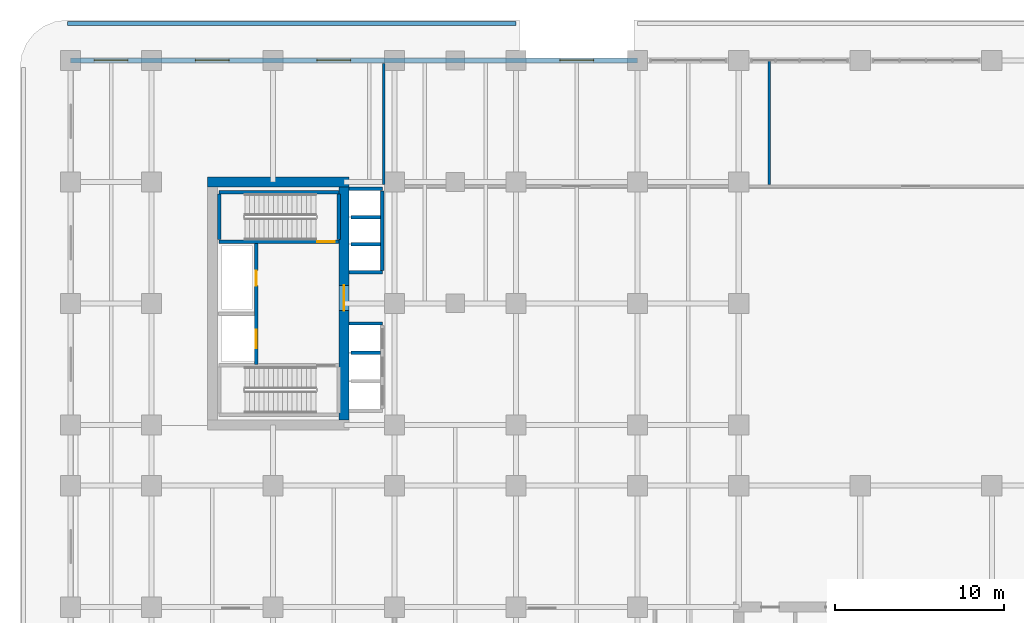
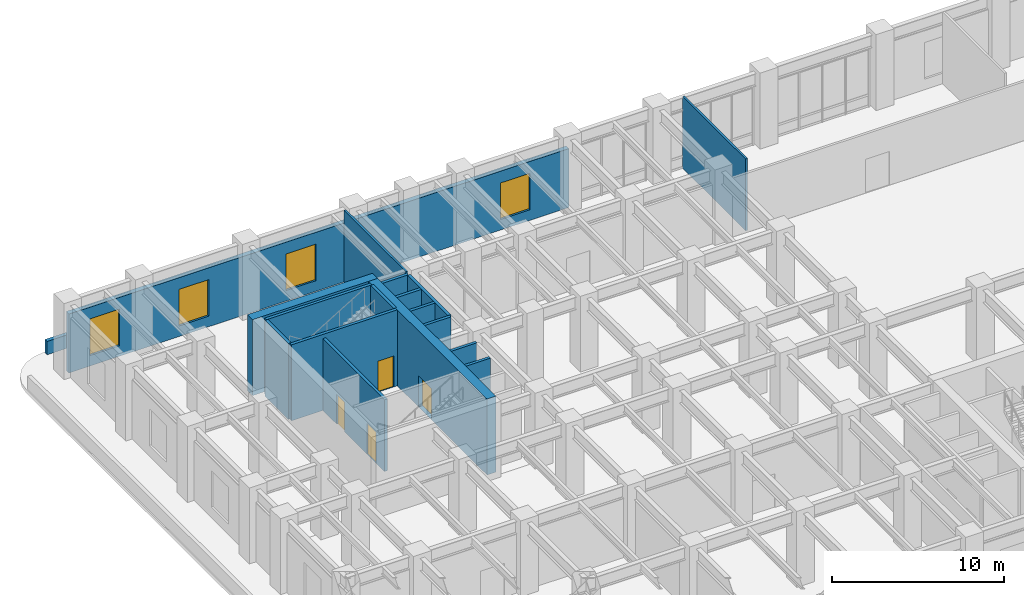
# One storey, part 12 of 20: 18 walls, 4 doors, 4 windows, 8 openings.
"""IFC4 building model written with IfcOpenShell, lengths in metres."""

from ifc_helpers import new_model, si_unit, derived_unit, direction, frame, frame_2d, origin, place, context, subcontext, project, spatial, rectangle, extrude, source, transform, mapped, material, layer, layer_set, type_object, type_shapes, element, fill, save


model = new_model("IFC4")

# Units and contexts
model_context = context("Model", 3, precision=1e-05, world=origin(), true_north=direction((0.0, 1.0)))
body_context = subcontext(model_context, "Body", "Model", "MODEL_VIEW")
ifc_project = project(units=[si_unit("LENGTHUNIT", "METRE"), si_unit("AREAUNIT", "SQUARE_METRE"), si_unit("VOLUMEUNIT", "CUBIC_METRE"), si_unit("PLANEANGLEUNIT", "RADIAN"), si_unit("MASSUNIT", "GRAM", prefix="KILO"), si_unit("THERMODYNAMICTEMPERATUREUNIT", "KELVIN"), si_unit("POWERUNIT", "WATT"), derived_unit("THERMALTRANSMITTANCEUNIT", [(si_unit("POWERUNIT", "WATT"), 1), (si_unit("AREAUNIT", "SQUARE_METRE"), -1), (si_unit("THERMODYNAMICTEMPERATUREUNIT", "KELVIN"), -1)])], contexts=[model_context])

# Site, building, storey
site_placement = place(None, origin())
site = spatial("IfcSite", under=ifc_project, at=site_placement, CompositionType="ELEMENT")
building_placement = place(site_placement, origin())
building = spatial("IfcBuilding", under=site, at=building_placement, Name="Zahravan Archway Hotel and Residences", CompositionType="ELEMENT")
storey_placement = place(building_placement, frame((0.0, 0.0, 16.199951171875)))
storey = spatial("IfcBuildingStorey", under=building, at=storey_placement, Name="L03", CompositionType="ELEMENT", Elevation=16.199951171875)

# Wall
ifc_material_1 = material(Name="Concrete C70/85", Category="concrete")
ifc_layer_1 = layer(ifc_material_1, 0.60009765625, Name="Concrete C70/85", Category="concrete")
ifc_layer_set_1 = layer_set([ifc_layer_1], Name="Concrete C70/85")
wall_type_1 = type_object("IfcWallType", Name="CW-CORE-600", PredefinedType="SHEAR", material=ifc_layer_set_1)
wall_1_placement = place(storey_placement, frame((3.300048828125, 39.60009765625, 0.0), z_axis=(0.0, 0.0, 1.0), x_axis=(1.0, 0.0, 0.0)))
element("IfcWall", 1, at=wall_1_placement, inside=storey, type_object=wall_type_1, Name="L03 Core B Shear N Wall 600 mm", PredefinedType="SHEAR", context=body_context, shape_type="SweptSolid", body=[
    extrude(rectangle(XDim=8.39990234375, YDim=0.60009765625, at=frame_2d((4.199951171875, 0.0))), origin(), (0.0, 0.0, 1.0), 5.400146484375),
])

# Wall, opening, door
wall_2_placement = place(storey_placement, frame((11.39990234375, 25.5, 0.0), z_axis=(0.0, 0.0, 1.0), x_axis=(0.0, 1.0, 0.0)))
wall_2 = element("IfcWall", 2, at=wall_2_placement, inside=storey, type_object=wall_type_1, Name="L03 Core B Shear E Wall 600 mm", PredefinedType="SHEAR", context=body_context, shape_type="SweptSolid", body=[
    extrude(rectangle(XDim=13.800048828125, YDim=0.60009765625, at=frame_2d((6.89990234375, 0.0))), origin(), (0.0, 0.0, 1.0), 5.400146484375),
])
opening_1_placement = place(wall_2_placement, frame((6.469970703125, 0.0, 0.0)))
opening_1 = element("IfcOpeningElement", 3, at=opening_1_placement, cuts=wall_2, Name="Opening FD-L1", PredefinedType="OPENING", context=body_context, shape_type="SweptSolid", body=[
    extrude(rectangle(XDim=1.5, YDim=2.199951171875, at=frame_2d((0.75, 1.10009765625))), frame((0.0, 0.31005859375, 0.0), z_axis=(0.0, -1.0, 0.0), x_axis=(1.0, 0.0, 0.0)), (0.0, 0.0, 1.0), 0.6201171875),
])
ifc_material_2 = material(Name="Fire-Rated Painted Steel", Category="steel")
door_type_1 = type_object("IfcDoorType", Name="FD-LOBBY-1500", OperationType="DOUBLE_DOOR_SINGLE_SWING", PredefinedType="DOOR", material=ifc_material_2)
shared_shape_1 = source(origin(), body_context, "Body", "SweptSolid", [
    extrude(rectangle(XDim=1.5, YDim=2.199951171875, at=frame_2d((0.75, 1.10009765625))), frame((0.0, 0.02490234375, 0.0), z_axis=(0.0, -1.0, 0.0), x_axis=(1.0, 0.0, 0.0)), (0.0, 0.0, 1.0), 0.050048828125),
])
type_shapes(door_type_1, [shared_shape_1])
door_1_placement = place(opening_1_placement, origin())
door_1 = element("IfcDoor", 4, at=door_1_placement, inside=storey, type_object=door_type_1, Name="L03 Core B FSAE Lobby Door", OperationType="DOUBLE_DOOR_SINGLE_SWING", OverallHeight=2.199951171875, OverallWidth=1.5, PredefinedType="DOOR", context=body_context, shape_type="MappedRepresentation", body=[
    mapped(shared_shape_1, transform((0.0, 0.0, 0.0), scale=1.0)),
])
fill(opening_1, door_1)

# Wall
ifc_material_3 = material(Name="Agra Buff Sandstone Coping Wall", Category="masonry")
ifc_layer_2 = layer(ifc_material_3, 0.25, Name="Agra Buff Sandstone Coping Wall", Category="masonry")
ifc_layer_set_2 = layer_set([ifc_layer_2], Name="Agra Buff Sandstone Coping Wall")
wall_type_2 = type_object("IfcWallType", Name="EW-PARA-250", PredefinedType="PARAPET", material=ifc_layer_set_2)
wall_3_placement = place(storey_placement, frame((-4.98681640625, 49.0, 0.0), z_axis=(0.0, 0.0, 1.0), x_axis=(1.0, 0.0, 0.0)))
element("IfcWall", 5, at=wall_3_placement, inside=storey, type_object=wall_type_2, Name="L03 Portico Coping Parapet 2", PredefinedType="PARAPET", context=body_context, shape_type="SweptSolid", body=[
    extrude(rectangle(XDim=26.5869140625, YDim=0.25, at=frame_2d((13.29345703125, 0.0))), origin(), (0.0, 0.0, 1.0), 0.949951171875),
])

# Wall, openings, windows
ifc_material_4 = material(Name="Agra Buff Sandstone & Insulated Backup", Category="masonry")
ifc_layer_3 = layer(ifc_material_4, 0.320068359375, Name="Agra Buff Sandstone & Insulated Backup", Category="masonry")
ifc_layer_set_3 = layer_set([ifc_layer_3], Name="Agra Buff Sandstone & Insulated Backup")
wall_type_3 = type_object("IfcWallType", Name="EW-SAND-320", PredefinedType="SOLIDWALL", material=ifc_layer_set_3)
wall_4_placement = place(storey_placement, frame((-4.800048828125, 46.800048828125, 0.0), z_axis=(0.0, 0.0, 1.0), x_axis=(1.0, 0.0, 0.0)))
wall_4 = element("IfcWall", 6, at=wall_4_placement, inside=storey, type_object=wall_type_3, Name="L03 Podium Sandstone NW Wall", PredefinedType="SOLIDWALL", context=body_context, shape_type="SweptSolid", body=[
    extrude(rectangle(XDim=33.60009765625, YDim=0.320068359375, at=frame_2d((16.800048828125, 0.0))), origin(), (0.0, 0.0, 1.0), 4.18505859375),
])
opening_2_placement = place(wall_4_placement, frame((1.39990234375, 0.0, 0.75)))
opening_2 = element("IfcOpeningElement", 7, at=opening_2_placement, cuts=wall_4, Name="Opening W-01", PredefinedType="OPENING", context=body_context, shape_type="SweptSolid", body=[
    extrude(rectangle(XDim=2.0, YDim=2.60009765625, at=frame_2d((1.0, 1.300048828125))), frame((0.0, 0.169921875, 0.0), z_axis=(0.0, -1.0, 0.0), x_axis=(1.0, 0.0, 0.0)), (0.0, 0.0, 1.0), 0.340087890625),
])
opening_3_placement = place(wall_4_placement, frame((7.39990234375, 0.0, 0.75)))
opening_3 = element("IfcOpeningElement", 8, at=opening_3_placement, cuts=wall_4, Name="Opening W-01", PredefinedType="OPENING", context=body_context, shape_type="SweptSolid", body=[
    extrude(rectangle(XDim=2.0, YDim=2.60009765625, at=frame_2d((1.0, 1.300048828125))), frame((0.0, 0.169921875, 0.0), z_axis=(0.0, -1.0, 0.0), x_axis=(1.0, 0.0, 0.0)), (0.0, 0.0, 1.0), 0.340087890625),
])
opening_4_placement = place(wall_4_placement, frame((14.60009765625, 0.0, 0.75)))
opening_4 = element("IfcOpeningElement", 9, at=opening_4_placement, cuts=wall_4, Name="Opening W-01", PredefinedType="OPENING", context=body_context, shape_type="SweptSolid", body=[
    extrude(rectangle(XDim=2.0, YDim=2.60009765625, at=frame_2d((1.0, 1.300048828125))), frame((0.0, 0.169921875, 0.0), z_axis=(0.0, -1.0, 0.0), x_axis=(1.0, 0.0, 0.0)), (0.0, 0.0, 1.0), 0.340087890625),
])
opening_5_placement = place(wall_4_placement, frame((29.0, 0.0, 0.75)))
opening_5 = element("IfcOpeningElement", 10, at=opening_5_placement, cuts=wall_4, Name="Opening W-01", PredefinedType="OPENING", context=body_context, shape_type="SweptSolid", body=[
    extrude(rectangle(XDim=2.0, YDim=2.60009765625, at=frame_2d((1.0, 1.300048828125))), frame((0.0, 0.169921875, 0.0), z_axis=(0.0, -1.0, 0.0), x_axis=(1.0, 0.0, 0.0)), (0.0, 0.0, 1.0), 0.340087890625),
])
ifc_material_5 = material(Name="Bronze-Anodized Thermal-Break Aluminium & Low-E Glass", Category="aluminium")
window_type = type_object("IfcWindowType", Name="WIN-ARC-2000", PartitioningType="DOUBLE_PANEL_VERTICAL", PredefinedType="WINDOW", material=ifc_material_5)
shared_shape_2 = source(origin(), body_context, "Body", "SweptSolid", [
    extrude(rectangle(XDim=2.0, YDim=2.60009765625, at=frame_2d((1.0, 1.300048828125))), frame((0.0, 0.030029296875, 0.0), z_axis=(0.0, -1.0, 0.0), x_axis=(1.0, 0.0, 0.0)), (0.0, 0.0, 1.0), 0.06005859375),
])
type_shapes(window_type, [shared_shape_2])
window_1_placement = place(opening_2_placement, origin())
window_1 = element("IfcWindow", 11, at=window_1_placement, inside=storey, type_object=window_type, Name="L03 Podium Mughal Arch Window 13", OverallHeight=2.60009765625, OverallWidth=2.0, PartitioningType="DOUBLE_PANEL_VERTICAL", PredefinedType="WINDOW", context=body_context, shape_type="MappedRepresentation", body=[
    mapped(shared_shape_2, transform((0.0, 0.0, 0.0), scale=1.0)),
])
fill(opening_2, window_1)
window_2_placement = place(opening_3_placement, origin())
window_2 = element("IfcWindow", 12, at=window_2_placement, inside=storey, type_object=window_type, Name="L03 Podium Mughal Arch Window 14", OverallHeight=2.60009765625, OverallWidth=2.0, PartitioningType="DOUBLE_PANEL_VERTICAL", PredefinedType="WINDOW", context=body_context, shape_type="MappedRepresentation", body=[
    mapped(shared_shape_2, transform((0.0, 0.0, 0.0), scale=1.0)),
])
fill(opening_3, window_2)
window_3_placement = place(opening_4_placement, origin())
window_3 = element("IfcWindow", 13, at=window_3_placement, inside=storey, type_object=window_type, Name="L03 Podium Mughal Arch Window 15", OverallHeight=2.60009765625, OverallWidth=2.0, PartitioningType="DOUBLE_PANEL_VERTICAL", PredefinedType="WINDOW", context=body_context, shape_type="MappedRepresentation", body=[
    mapped(shared_shape_2, transform((0.0, 0.0, 0.0), scale=1.0)),
])
fill(opening_4, window_3)
window_4_placement = place(opening_5_placement, origin())
window_4 = element("IfcWindow", 14, at=window_4_placement, inside=storey, type_object=window_type, Name="L03 Podium Mughal Arch Window 16", OverallHeight=2.60009765625, OverallWidth=2.0, PartitioningType="DOUBLE_PANEL_VERTICAL", PredefinedType="WINDOW", context=body_context, shape_type="MappedRepresentation", body=[
    mapped(shared_shape_2, transform((0.0, 0.0, 0.0), scale=1.0)),
])
fill(opening_5, window_4)

# Wall, openings, doors
ifc_material_6 = material(Name="Fire-Rated Gypsum & Concrete Block", Category="concrete")
ifc_layer_4 = layer(ifc_material_6, 0.199951171875, Name="Fire-Rated Gypsum & Concrete Block", Category="concrete")
ifc_layer_set_4 = layer_set([ifc_layer_4], Name="Fire-Rated Gypsum & Concrete Block")
wall_type_4 = type_object("IfcWallType", Name="PW-SHAFT-200", PredefinedType="PARTITIONING", material=ifc_layer_set_4)
wall_5_placement = place(storey_placement, frame((6.199951171875, 28.7900390625, 0.0), z_axis=(0.0, 0.0, 1.0), x_axis=(0.0, 1.0, 0.0)))
wall_5 = element("IfcWall", 15, at=wall_5_placement, inside=storey, type_object=wall_type_4, Name="L03 Partition CB-FL3E", PredefinedType="PARTITIONING", context=body_context, shape_type="SweptSolid", body=[
    extrude(rectangle(XDim=7.219970703125, YDim=0.199951171875, at=frame_2d((3.60986328125, 0.0))), origin(), (0.0, 0.0, 1.0), 5.10009765625),
])
opening_6_placement = place(wall_5_placement, frame((4.659912109375, 0.0, 0.0)))
opening_6 = element("IfcOpeningElement", 16, at=opening_6_placement, cuts=wall_5, Name="Opening FD-R1", PredefinedType="OPENING", context=body_context, shape_type="SweptSolid", body=[
    extrude(rectangle(XDim=0.89990234375, YDim=2.10009765625, at=frame_2d((0.449951171875, 1.050048828125))), frame((0.0, 0.10986328125, 0.0), z_axis=(0.0, -1.0, 0.0), x_axis=(1.0, 0.0, 0.0)), (0.0, 0.0, 1.0), 0.219970703125),
])
opening_7_placement = place(wall_5_placement, frame((0.9599609375, 0.0, 0.0)))
opening_7 = element("IfcOpeningElement", 17, at=opening_7_placement, cuts=wall_5, Name="Opening LD", PredefinedType="OPENING", context=body_context, shape_type="SweptSolid", body=[
    extrude(rectangle(XDim=1.10009765625, YDim=2.199951171875, at=frame_2d((0.550048828125, 1.10009765625))), frame((0.0, 0.10986328125, 0.0), z_axis=(0.0, -1.0, 0.0), x_axis=(1.0, 0.0, 0.0)), (0.0, 0.0, 1.0), 0.219970703125),
])
door_type_2 = type_object("IfcDoorType", Name="FD-RISER-900", OperationType="NOTDEFINED", PredefinedType="DOOR", material=ifc_material_2)
shared_shape_3 = source(origin(), body_context, "Body", "SweptSolid", [
    extrude(rectangle(XDim=0.89990234375, YDim=2.10009765625, at=frame_2d((0.449951171875, 1.050048828125))), frame((0.0, 0.02490234375, 0.0), z_axis=(0.0, -1.0, 0.0), x_axis=(1.0, 0.0, 0.0)), (0.0, 0.0, 1.0), 0.050048828125),
])
type_shapes(door_type_2, [shared_shape_3])
door_2_placement = place(opening_6_placement, origin())
door_2 = element("IfcDoor", 18, at=door_2_placement, inside=storey, type_object=door_type_2, Name="L03 Core B Riser Door", OperationType="SINGLE_SWING_RIGHT", OverallHeight=2.10009765625, OverallWidth=0.89990234375, PredefinedType="DOOR", context=body_context, shape_type="MappedRepresentation", body=[
    mapped(shared_shape_3, transform((0.0, 0.0, 0.0), scale=1.0)),
])
fill(opening_6, door_2)
ifc_material_7 = material(Name="Brushed Stainless Steel", Category="steel")
door_type_3 = type_object("IfcDoorType", Name="DR-LIFT-LD", OperationType="SLIDING_TO_LEFT", PredefinedType="DOOR", material=ifc_material_7)
shared_shape_4 = source(origin(), body_context, "Body", "SweptSolid", [
    extrude(rectangle(XDim=1.10009765625, YDim=2.199951171875, at=frame_2d((0.550048828125, 1.10009765625))), frame((0.0, 0.02490234375, 0.0), z_axis=(0.0, -1.0, 0.0), x_axis=(1.0, 0.0, 0.0)), (0.0, 0.0, 1.0), 0.050048828125),
])
type_shapes(door_type_3, [shared_shape_4])
door_3_placement = place(opening_7_placement, origin())
door_3 = element("IfcDoor", 19, at=door_3_placement, inside=storey, type_object=door_type_3, Name="L03 Lift FL-3 Sliding Landing Door", OperationType="SLIDING_TO_LEFT", OverallHeight=2.199951171875, OverallWidth=1.10009765625, PredefinedType="DOOR", context=body_context, shape_type="MappedRepresentation", body=[
    mapped(shared_shape_4, transform((0.0, 0.0, 0.0), scale=1.0)),
])
fill(opening_7, door_3)

# Walls
wall_6_placement = place(storey_placement, frame((11.7099609375, 31.2099609375, 0.0), z_axis=(0.0, 0.0, 1.0), x_axis=(1.0, 0.0, 0.0)))
element("IfcWall", 20, at=wall_6_placement, inside=storey, type_object=wall_type_4, Name="L03 Partition B1-N", PredefinedType="PARTITIONING", context=body_context, shape_type="SweptSolid", body=[
    extrude(rectangle(XDim=1.9599609375, YDim=0.199951171875, at=frame_2d((0.97998046875, 0.0))), origin(), (0.0, 0.0, 1.0), 5.10009765625),
])
wall_7_placement = place(storey_placement, frame((11.81005859375, 29.469970703125, 0.0), z_axis=(0.0, 0.0, 1.0), x_axis=(1.0, 0.0, 0.0)))
element("IfcWall", 21, at=wall_7_placement, inside=storey, type_object=wall_type_4, Name="L03 Partition B1-D", PredefinedType="PARTITIONING", context=body_context, shape_type="SweptSolid", body=[
    extrude(rectangle(XDim=1.760009765625, YDim=0.199951171875, at=frame_2d((0.8798828125, 0.0))), origin(), (0.0, 0.0, 1.0), 5.10009765625),
])
for number, where, z_axis, x_axis, name in (
    (22, (11.7099609375, 34.25, 0.0), (0.0, 0.0, 1.0), (1.0, 0.0, 0.0), "L03 Partition B2-S"),
    (23, (11.7099609375, 39.18994140625, 0.0), (0.0, 0.0, 1.0), (1.0, 0.0, 0.0), "L03 Partition B2-N"),
):
    element("IfcWall", number, at=place(storey_placement, frame(where, z_axis=z_axis, x_axis=x_axis)), inside=storey, type_object=wall_type_4, Name=name, PredefinedType="PARTITIONING", context=body_context, shape_type="SweptSolid", body=[
        extrude(rectangle(XDim=1.9599609375, YDim=0.199951171875, at=frame_2d((0.97998046875, 0.0))), origin(), (0.0, 0.0, 1.0), 5.10009765625),
    ])
wall_8_placement = place(storey_placement, frame((13.679931640625, 34.360107421875, 0.0), z_axis=(0.0, 0.0, 1.0), x_axis=(0.0, 1.0, 0.0)))
element("IfcWall", 24, at=wall_8_placement, inside=storey, type_object=wall_type_4, Name="L03 Partition B2-E", PredefinedType="PARTITIONING", context=body_context, shape_type="SweptSolid", body=[
    extrude(rectangle(XDim=4.719970703125, YDim=0.199951171875, at=frame_2d((2.35986328125, 0.0))), origin(), (0.0, 0.0, 1.0), 5.10009765625),
])
for number, where, z_axis, x_axis, name in (
    (25, (11.81005859375, 35.919921875, 0.0), (0.0, 0.0, 1.0), (1.0, 0.0, 0.0), "L03 Partition B2-D"),
    (26, (11.81005859375, 37.52001953125, 0.0), (0.0, 0.0, 1.0), (1.0, 0.0, 0.0), "L03 Partition B2-D"),
):
    element("IfcWall", number, at=place(storey_placement, frame(where, z_axis=z_axis, x_axis=x_axis)), inside=storey, type_object=wall_type_4, Name=name, PredefinedType="PARTITIONING", context=body_context, shape_type="SweptSolid", body=[
        extrude(rectangle(XDim=1.760009765625, YDim=0.199951171875, at=frame_2d((0.8798828125, 0.0))), origin(), (0.0, 0.0, 1.0), 5.10009765625),
    ])
ifc_material_8 = material(Name="Moisture-Resistant Blockwork", Category="masonry")
ifc_layer_5 = layer(ifc_material_8, 0.139892578125, Name="Moisture-Resistant Blockwork", Category="masonry")
ifc_layer_set_5 = layer_set([ifc_layer_5], Name="Moisture-Resistant Blockwork")
wall_type_5 = type_object("IfcWallType", Name="PW-WET-140", PredefinedType="PARTITIONING", material=ifc_layer_set_5)
wall_9_placement = place(storey_placement, frame((13.75, 39.43994140625, 0.0), z_axis=(0.0, 0.0, 1.0), x_axis=(0.0, 1.0, 0.0)))
element("IfcWall", 27, at=wall_9_placement, inside=storey, type_object=wall_type_5, Name="L03 Partition L03-GNW", PredefinedType="PARTITIONING", context=body_context, shape_type="SweptSolid", body=[
    extrude(rectangle(XDim=7.192138671875, YDim=0.139892578125, at=frame_2d((3.59619140625, 0.0))), origin(), (0.0, 0.0, 1.0), 5.10009765625),
])
wall_10_placement = place(storey_placement, frame((36.60009765625, 39.43994140625, 0.0), z_axis=(0.0, 0.0, 1.0), x_axis=(0.0, 1.0, 0.0)))
element("IfcWall", 28, at=wall_10_placement, inside=storey, type_object=wall_type_5, Name="L03 Partition L03-NV1", PredefinedType="PARTITIONING", context=body_context, shape_type="SweptSolid", body=[
    extrude(rectangle(XDim=7.33203125, YDim=0.139892578125, at=frame_2d((3.666015625, 0.0))), origin(), (0.0, 0.0, 1.0), 5.10009765625),
])
ifc_material_9 = material(Name="Concrete C50/60", Category="concrete")
ifc_layer_6 = layer(ifc_material_9, 0.199951171875, Name="Concrete C50/60", Category="concrete")
ifc_layer_set_6 = layer_set([ifc_layer_6], Name="Concrete C50/60")
wall_type_6 = type_object("IfcWallType", Name="SW-STAIR-200", PredefinedType="SHEAR", material=ifc_layer_set_6)
wall_11_placement = place(storey_placement, frame((4.0, 39.0, 0.0), z_axis=(0.0, 0.0, 1.0), x_axis=(1.0, 0.0, 0.0)))
element("IfcWall", 29, at=wall_11_placement, inside=storey, type_object=wall_type_6, Name="L03 Stairwell RC Wall CB-SB2N", PredefinedType="SHEAR", context=body_context, shape_type="SweptSolid", body=[
    extrude(rectangle(XDim=7.10009765625, YDim=0.199951171875, at=frame_2d((3.550048828125, 0.0))), origin(), (0.0, 0.0, 1.0), 5.400146484375),
])
for number, where, z_axis, x_axis, name in (
    (30, (4.0, 36.179931640625, 0.0), (0.0, 0.0, 1.0), (0.0, 1.0, 0.0), "L03 Stairwell RC Wall CB-SB2W"),
    (31, (11.10009765625, 36.179931640625, 0.0), (0.0, 0.0, 1.0), (0.0, 1.0, 0.0), "L03 Stairwell RC Wall CB-SB2E"),
):
    element("IfcWall", number, at=place(storey_placement, frame(where, z_axis=z_axis, x_axis=x_axis)), inside=storey, type_object=wall_type_6, Name=name, PredefinedType="SHEAR", context=body_context, shape_type="SweptSolid", body=[
        extrude(rectangle(XDim=2.699951171875, YDim=0.199951171875, at=frame_2d((1.35009765625, 0.0))), origin(), (0.0, 0.0, 1.0), 5.400146484375),
    ])

# Wall, opening, door
wall_12_placement = place(storey_placement, frame((4.0, 36.06005859375, 0.0), z_axis=(0.0, 0.0, 1.0), x_axis=(1.0, 0.0, 0.0)))
wall_12 = element("IfcWall", 32, at=wall_12_placement, inside=storey, type_object=wall_type_6, Name="L03 Stairwell RC Wall CB-SB2S", PredefinedType="SHEAR", context=body_context, shape_type="SweptSolid", body=[
    extrude(rectangle(XDim=7.10009765625, YDim=0.199951171875, at=frame_2d((3.550048828125, 0.0))), origin(), (0.0, 0.0, 1.0), 5.400146484375),
])
opening_8_placement = place(wall_12_placement, frame((5.81494140625, 0.0, 0.0)))
opening_8 = element("IfcOpeningElement", 33, at=opening_8_placement, cuts=wall_12, Name="Opening FD-S1", PredefinedType="OPENING", context=body_context, shape_type="SweptSolid", body=[
    extrude(rectangle(XDim=1.050048828125, YDim=2.199951171875, at=frame_2d((0.52490234375, 1.10009765625))), frame((0.0, 0.10986328125, 0.0), z_axis=(0.0, -1.0, 0.0), x_axis=(1.0, 0.0, 0.0)), (0.0, 0.0, 1.0), 0.219970703125),
])
door_type_4 = type_object("IfcDoorType", Name="FD-STAIR-1100", OperationType="NOTDEFINED", PredefinedType="DOOR", material=ifc_material_2)
shared_shape_5 = source(origin(), body_context, "Body", "SweptSolid", [
    extrude(rectangle(XDim=1.050048828125, YDim=2.199951171875, at=frame_2d((0.52490234375, 1.10009765625))), frame((0.0, 0.02490234375, 0.0), z_axis=(0.0, -1.0, 0.0), x_axis=(1.0, 0.0, 0.0)), (0.0, 0.0, 1.0), 0.050048828125),
])
type_shapes(door_type_4, [shared_shape_5])
door_4_placement = place(opening_8_placement, origin())
door_4 = element("IfcDoor", 34, at=door_4_placement, inside=storey, type_object=door_type_4, Name="L03 Stair ST-B2 Door", OperationType="SINGLE_SWING_LEFT", OverallHeight=2.199951171875, OverallWidth=1.050048828125, PredefinedType="DOOR", context=body_context, shape_type="MappedRepresentation", body=[
    mapped(shared_shape_5, transform((0.0, 0.0, 0.0), scale=1.0)),
])
fill(opening_8, door_4)

save(model, "model.ifc")
